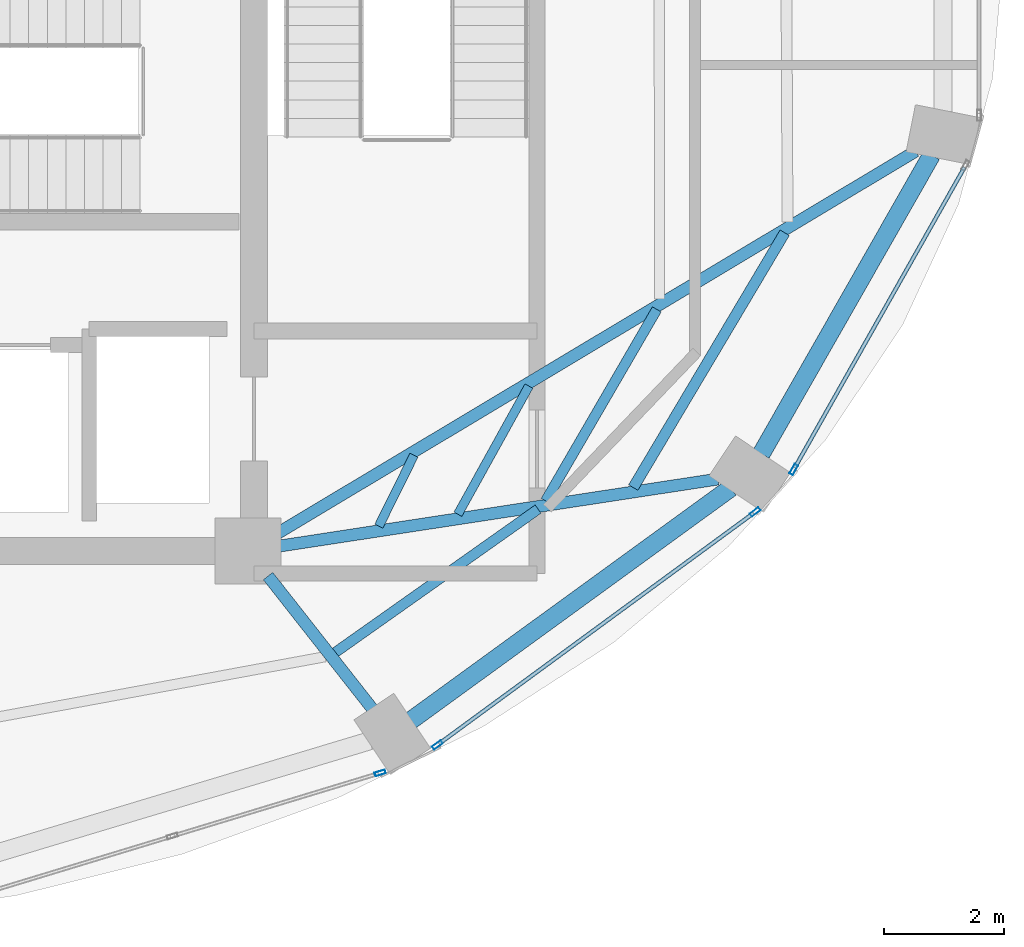
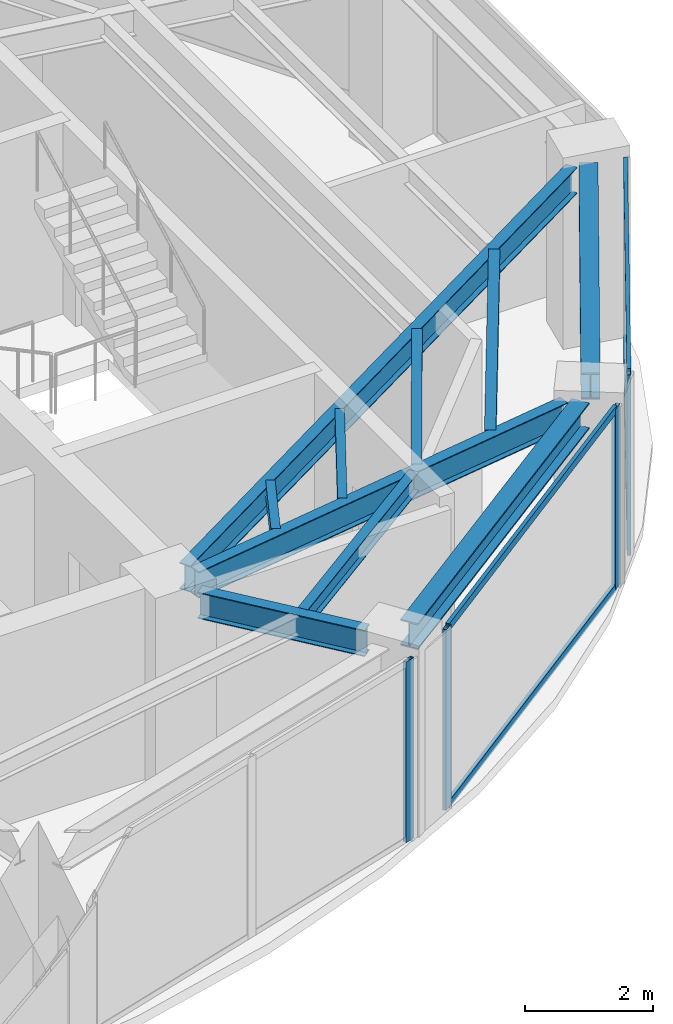
# One storey, part 13 of 22: 10 beams, 8 members, 3 elements without a shape of their own.
"""IFC4 building model written with IfcOpenShell, lengths in metres."""

import ifcopenshell
import ifcopenshell.guid

model = None  # the IFC model being written
_history = None  # IfcOwnerHistory: only IFC2X3 demands one
_inside = {}  # id of a spatial element -> (the spatial element, [elements in it])
_under = {}  # id of a project, library or spatial element -> (it, [spatial elements below it])
_declared = {}  # id of a project -> (the project, [libraries it declares])
_typed = {}  # id of a type object -> (the type object, [elements of that type])
_made_of = {}  # id of a material, layer set ... -> (it, [elements and type objects made of it])


def new_model(schema):
    """Start an empty IFC model of exactly this schema.

    Asked for "IFC4X3", IfcOpenShell would pick the latest addendum, in which some entities
    have other attributes; the version numbers below select the first issue.
    IFC2X3 requires an IfcOwnerHistory on every rooted entity: one is made here for all.
    """
    global model, _history
    if schema == "IFC4X3":
        model = ifcopenshell.file(schema_version=(4, 3, 0, 0))
    else:
        model = ifcopenshell.file(schema=schema)
    _inside.clear()
    _under.clear()
    _declared.clear()
    _typed.clear()
    _made_of.clear()
    _history = None
    if model.schema == "IFC2X3":
        org = make("IfcOrganization", Name="unknown")
        user = make(
            "IfcPersonAndOrganization",
            ThePerson=make("IfcPerson", FamilyName="unknown"),
            TheOrganization=org,
        )
        app = make(
            "IfcApplication",
            ApplicationDeveloper=org,
            Version="unknown",
            ApplicationFullName="unknown",
            ApplicationIdentifier="unknown",
        )
        _history = make(
            "IfcOwnerHistory",
            OwningUser=user,
            OwningApplication=app,
            ChangeAction="ADDED",
            CreationDate=0,
        )
    return model


def make(cls, **values):
    """One entity of the class cls with the attributes given. An attribute that is None is left unset."""
    return model.create_entity(
        cls, **{name: value for name, value in values.items() if value is not None}
    )


def rooted(cls, **values):
    """An entity with a GlobalId (a new one), such as an element, a storey or a relation."""
    return make(cls, GlobalId=ifcopenshell.guid.new(), OwnerHistory=_history, **values)


def si_unit(unit_type, name, prefix=None):
    """IfcSIUnit, for example si_unit("LENGTHUNIT", "METRE", prefix="MILLI")."""
    return make("IfcSIUnit", UnitType=unit_type, Prefix=prefix, Name=name)


def assignment(units):
    """IfcUnitAssignment: the units of a project."""
    return None if units is None else make("IfcUnitAssignment", Units=units)


def point(xyz):
    """IfcCartesianPoint."""
    return None if xyz is None else make("IfcCartesianPoint", Coordinates=xyz)


def direction(xyz):
    """IfcDirection."""
    return None if xyz is None else make("IfcDirection", DirectionRatios=xyz)


def frame(location, z_axis=None, x_axis=None):
    """IfcAxis2Placement3D, a coordinate frame: its origin and axes. An axis left out is left unset."""
    return make(
        "IfcAxis2Placement3D",
        Location=point(location),
        Axis=direction(z_axis),
        RefDirection=direction(x_axis),
    )


def frame_2d(location, x_axis=None):
    """IfcAxis2Placement2D, a coordinate frame in the plane: its origin and x axis."""
    return make(
        "IfcAxis2Placement2D", Location=point(location), RefDirection=direction(x_axis)
    )


def origin():
    """The frame at (0, 0, 0) with its axes left unset."""
    return frame((0.0, 0.0, 0.0))


def origin_2d():
    """The frame at (0, 0) in the plane with its x axis left unset."""
    return frame_2d((0.0, 0.0))


def place(relative_to, where):
    """IfcLocalPlacement: puts the frame where relative to a parent placement (None: the world)."""
    return make(
        "IfcLocalPlacement", PlacementRelTo=relative_to, RelativePlacement=where
    )


def context(
    kind, dimensions, precision=None, world=None, true_north=None, identifier=None
):
    """IfcGeometricRepresentationContext, for example the 3D "Model" context."""
    return make(
        "IfcGeometricRepresentationContext",
        ContextIdentifier=identifier,
        ContextType=kind,
        CoordinateSpaceDimension=dimensions,
        Precision=precision,
        WorldCoordinateSystem=world,
        TrueNorth=true_north,
    )


def subcontext(parent, identifier, kind, view, scale=None):
    """IfcGeometricRepresentationSubContext, for example "Body" below "Model"."""
    return make(
        "IfcGeometricRepresentationSubContext",
        ContextIdentifier=identifier,
        ContextType=kind,
        ParentContext=parent,
        TargetScale=scale,
        TargetView=view,
    )


def project(units=None, contexts=None):
    """IfcProject with its units and contexts."""
    return rooted(
        "IfcProject",
        Name="project",
        RepresentationContexts=contexts,
        UnitsInContext=assignment(units),
    )


def spatial(cls, under=None, at=None, **own):
    """A site, building, storey or space (cls), placed at a placement, below another one or the project."""
    s = rooted(cls, ObjectPlacement=at, **own)
    if under is not None:
        _under.setdefault(under.id(), (under, []))[1].append(s)
    return s


def profile(cls, at=None, kind="AREA", **sizes):
    """A parametric profile (cls). Its sizes go by their IFC names, for example OverallWidth=200.0."""
    return make(cls, ProfileType=kind, Position=at, **sizes)


def hollow_rectangle(**sizes):
    """IfcRectangleHollowProfileDef."""
    return profile("IfcRectangleHollowProfileDef", **sizes)


def i_section(**sizes):
    """IfcIShapeProfileDef."""
    return profile("IfcIShapeProfileDef", **sizes)


def extrude(swept, where, along, depth):
    """IfcExtrudedAreaSolid: the profile swept, set in the frame where, extruded along a direction by depth."""
    return make(
        "IfcExtrudedAreaSolid",
        SweptArea=swept,
        Position=where,
        ExtrudedDirection=direction(along),
        Depth=depth,
    )


def shape(context_of_items, identifier, shape_type, items):
    """IfcShapeRepresentation: the items that make up one representation, for example the "Body"."""
    return make(
        "IfcShapeRepresentation",
        ContextOfItems=context_of_items,
        RepresentationIdentifier=identifier,
        RepresentationType=shape_type,
        Items=items,
    )


def material(Name=None, Category=None):
    """IfcMaterial."""
    return make("IfcMaterial", Name=Name, Category=Category)


def layer(
    of_material, thickness, ventilated=None, Name=None, Category=None, Priority=None
):
    """IfcMaterialLayer: one layer of a wall or slab, of a material (None: an air gap)."""
    return make(
        "IfcMaterialLayer",
        Material=of_material,
        LayerThickness=thickness,
        IsVentilated=ventilated,
        Name=Name,
        Category=Category,
        Priority=Priority,
    )


def layer_set(layers, Name=None):
    """IfcMaterialLayerSet."""
    return make("IfcMaterialLayerSet", MaterialLayers=layers, LayerSetName=Name)


def material_profile(
    of_material, cross_section, Name=None, Category=None, Priority=None
):
    """IfcMaterialProfile: a cross section and its material."""
    return make(
        "IfcMaterialProfile",
        Name=Name,
        Material=of_material,
        Profile=cross_section,
        Priority=Priority,
        Category=Category,
    )


def profile_set(profiles, Name=None, composite=None):
    """IfcMaterialProfileSet."""
    return make(
        "IfcMaterialProfileSet",
        Name=Name,
        MaterialProfiles=profiles,
        CompositeProfile=composite,
    )


def made_of(thing, what):
    """Note that an element or type object is made of a material, layer set ...; save() writes the relation."""
    if what is not None:
        _made_of.setdefault(what.id(), (what, []))[1].append(thing)
    return thing


def type_object(cls, material=None, **own):
    """A type object (cls), such as IfcWallType, which elements share."""
    return made_of(rooted(cls, **own), material)


def element(
    cls,
    number,
    at=None,
    inside=None,
    cuts=None,
    type_object=None,
    material=None,
    context=None,
    identifier="Body",
    shape_type=None,
    held_by="IfcProductDefinitionShape",
    body=None,
    shapes=None,
    **own,
):
    """One element of the class cls, such as IfcWall. Its Tag is "e" and its number.

    at: its placement. inside: the storey or other place that contains it. cuts: it is an
    opening in that element (IfcRelVoidsElement). A single representation is given by context,
    identifier, shape_type and body (its items); several are given by shapes. held_by: the class
    of the entity that holds the representations. save() writes the other relations.
    """
    e = rooted(cls, Tag="e%d" % number, ObjectPlacement=at, **own)
    if body is not None:
        shapes = [shape(context, identifier, shape_type, body)]
    if shapes is not None:
        e.Representation = make(held_by, Representations=shapes)
    if inside is not None:
        _inside.setdefault(inside.id(), (inside, []))[1].append(e)
    if cuts is not None:
        rooted(
            "IfcRelVoidsElement", RelatingBuildingElement=cuts, RelatedOpeningElement=e
        )
    if type_object is not None:
        _typed.setdefault(type_object.id(), (type_object, []))[1].append(e)
    return made_of(e, material)


def aggregate(whole, parts):
    """IfcRelAggregates: a whole, such as a stair, and the parts it consists of."""
    return rooted("IfcRelAggregates", RelatingObject=whole, RelatedObjects=parts)


def save(model, path):
    """Write the relations noted so far, then the file.

    IfcRelAggregates (storeys below a building ...), IfcRelContainedInSpatialStructure (elements
    in a storey), IfcRelDefinesByType, IfcRelAssociatesMaterial and IfcRelDeclares: one each for
    every whole, place, type object, material and project.
    """
    for whole, parts in _under.values():
        aggregate(whole, parts)
    for where, things in _inside.values():
        rooted(
            "IfcRelContainedInSpatialStructure",
            RelatedElements=things,
            RelatingStructure=where,
        )
    for kind, things in _typed.values():
        rooted("IfcRelDefinesByType", RelatedObjects=things, RelatingType=kind)
    for what, things in _made_of.values():
        rooted("IfcRelAssociatesMaterial", RelatedObjects=things, RelatingMaterial=what)
    for by, libraries in _declared.values():
        rooted("IfcRelDeclares", RelatingContext=by, RelatedDefinitions=libraries)
    model.write(path)


model = new_model("IFC4")

# Units and contexts
model_context = context("Model", 3, precision=1e-05, world=origin(), true_north=direction((0.0, 1.0)))
body_context = subcontext(model_context, "Body", "Model", "MODEL_VIEW")
ifc_project = project(units=[si_unit("LENGTHUNIT", "METRE"), si_unit("AREAUNIT", "SQUARE_METRE"), si_unit("VOLUMEUNIT", "CUBIC_METRE"), si_unit("PLANEANGLEUNIT", "RADIAN"), si_unit("MASSUNIT", "GRAM", prefix="KILO")], contexts=[model_context])

# Site, building, storey
site_placement = place(None, origin())
site = spatial("IfcSite", under=ifc_project, at=site_placement, CompositionType="ELEMENT")
building_placement = place(site_placement, origin())
building = spatial("IfcBuilding", under=site, at=building_placement, Name="Lazwardi Medical Tower", CompositionType="ELEMENT")
storey_placement = place(building_placement, frame((0.0, 0.0, 255.02392578125)))
storey = spatial("IfcBuildingStorey", under=building, at=storey_placement, Name="L66", CompositionType="ELEMENT", Elevation=255.02392578125)

# Beams
ifc_material_1 = material(Name="Steel S355", Category="steel")
ifc_material_profile_1 = material_profile(ifc_material_1, i_section(OverallWidth=0.300048828125, OverallDepth=0.5, WebThickness=0.014404296875, FlangeThickness=0.028076171875, at=origin_2d()), Name="HEB 500")
ifc_profile_set_1 = profile_set([ifc_material_profile_1], Name="Steel S355")
beam_type_1 = type_object("IfcBeamType", Name="BM-RB-Z4", PredefinedType="BEAM", material=ifc_profile_set_1)
beam_1_placement = place(storey_placement, frame((48.31591796875, 17.5751953125, 3.197998046875), z_axis=(0.808889916254, 0.587960120571, 0.0), x_axis=(-0.587960120571, 0.808889916254, 0.0)))
element("IfcBeam", 1, at=beam_1_placement, inside=storey, type_object=beam_type_1, Name="Ring beam RB-05 B02 L66", PredefinedType="BEAM", context=body_context, shape_type="SweptSolid", body=[
    extrude(i_section(OverallWidth=0.300048828125, OverallDepth=0.5, WebThickness=0.014404296875, FlangeThickness=0.028076171875, at=origin_2d()), origin(), (0.0, 0.0, 1.0), 6.587158203125),
])
beam_2_placement = place(storey_placement, frame((54.15283203125, 22.016357421875, 3.197998046875), z_axis=(0.495125273299, 0.868821594886, 0.0), x_axis=(-0.868821594886, 0.495125273299, 0.0)))
element("IfcBeam", 2, at=beam_2_placement, inside=storey, type_object=beam_type_1, Name="Ring beam RB-05 B03 L66", PredefinedType="BEAM", context=body_context, shape_type="SweptSolid", body=[
    extrude(i_section(OverallWidth=0.300048828125, OverallDepth=0.5, WebThickness=0.014404296875, FlangeThickness=0.028076171875, at=origin_2d()), origin(), (0.0, 0.0, 1.0), 5.734130859375),
])
ifc_material_profile_2 = material_profile(ifc_material_1, i_section(OverallWidth=0.199951171875, OverallDepth=0.5, WebThickness=0.01025390625, FlangeThickness=0.01611328125, at=origin_2d()), Name="IPE 500")
ifc_profile_set_2 = profile_set([ifc_material_profile_2], Name="Steel S355")
beam_type_2 = type_object("IfcBeamType", Name="BM-RG-W3", PredefinedType="BEAM", material=ifc_profile_set_2)
beam_3_placement = place(storey_placement, frame((47.669677734375, 17.7666015625, 3.197998046875), z_axis=(-0.617890508382, 0.786264153864, 0.0), x_axis=(-0.786264153864, -0.617890508382, 0.0)))
element("IfcBeam", 3, at=beam_3_placement, inside=storey, type_object=beam_type_2, Name="Radial girder RG-04 R02 L66", PredefinedType="BEAM", context=body_context, shape_type="SweptSolid", body=[
    extrude(i_section(OverallWidth=0.199951171875, OverallDepth=0.5, WebThickness=0.01025390625, FlangeThickness=0.01611328125, at=origin_2d()), origin(), (0.0, 0.0, 1.0), 2.814453125),
])
beam_4_placement = place(storey_placement, frame((53.430908203125, 21.5966796875, 3.197998046875), z_axis=(-0.988522137285, -0.151076087115, 0.0), x_axis=(0.151076087115, -0.988522137285, 0.0)))
element("IfcBeam", 4, at=beam_4_placement, inside=storey, type_object=beam_type_2, Name="Radial girder RG-04 R03 L66", PredefinedType="BEAM", context=body_context, shape_type="SweptSolid", body=[
    extrude(i_section(OverallWidth=0.199951171875, OverallDepth=0.5, WebThickness=0.01025390625, FlangeThickness=0.01611328125, at=origin_2d()), origin(), (0.0, 0.0, 1.0), 7.38671875),
])
beam_5_placement = place(storey_placement, frame((56.72607421875, 27.062255859375, 3.197998046875), z_axis=(-0.857944804603, -0.513741873176, 0.0), x_axis=(0.513741873176, -0.857944804603, 0.0)))
element("IfcBeam", 5, at=beam_5_placement, inside=storey, type_object=beam_type_2, Name="Radial girder RG-04 R04 L66", PredefinedType="BEAM", context=body_context, shape_type="SweptSolid", body=[
    extrude(i_section(OverallWidth=0.199951171875, OverallDepth=0.5, WebThickness=0.01025390625, FlangeThickness=0.01611328125, at=origin_2d()), origin(), (0.0, 0.0, 1.0), 12.43310546875),
])
ifc_material_profile_3 = material_profile(ifc_material_1, i_section(OverallWidth=0.179931640625, OverallDepth=0.39990234375, WebThickness=0.008544921875, FlangeThickness=0.013427734375, at=origin_2d()), Name="IPE 400")
ifc_profile_set_3 = profile_set([ifc_material_profile_3], Name="Steel S355")
beam_type_3 = type_object("IfcBeamType", Name="BM-SJ-01", PredefinedType="JOIST", material=ifc_profile_set_3)
beam_6_placement = place(storey_placement, frame((52.01904296875, 21.455078125, 3.248046875), z_axis=(0.510967866251, 0.859599813668, 0.0), x_axis=(-0.859599813668, 0.510967866251, 0.0)))
element("IfcBeam", 6, at=beam_6_placement, inside=storey, type_object=beam_type_3, Name="Secondary joist SJ-01 R1 B03 L66", PredefinedType="JOIST", context=body_context, shape_type="SweptSolid", body=[
    extrude(i_section(OverallWidth=0.179931640625, OverallDepth=0.39990234375, WebThickness=0.008544921875, FlangeThickness=0.013427734375, at=origin_2d()), origin(), (0.0, 0.0, 1.0), 4.94189453125),
])
ifc_material_profile_4 = material_profile(ifc_material_1, i_section(OverallWidth=0.169921875, OverallDepth=0.360107421875, WebThickness=0.008056640625, FlangeThickness=0.0126953125, at=origin_2d()), Name="IPE 360")
ifc_profile_set_4 = profile_set([ifc_material_profile_4], Name="Steel S355")
beam_type_4 = type_object("IfcBeamType", Name="BM-SJ-02", PredefinedType="JOIST", material=ifc_profile_set_4)
beam_7_placement = place(storey_placement, frame((47.051513671875, 18.70654296875, 3.26806640625), z_axis=(0.816711190406, 0.577046645832, 0.0), x_axis=(-0.577046645832, 0.816711190406, 0.0)))
element("IfcBeam", 7, at=beam_7_placement, inside=storey, type_object=beam_type_4, Name="Secondary joist SJ-02 R2 B02 L66", PredefinedType="JOIST", context=body_context, shape_type="SweptSolid", body=[
    extrude(i_section(OverallWidth=0.169921875, OverallDepth=0.360107421875, WebThickness=0.008056640625, FlangeThickness=0.0126953125, at=origin_2d()), origin(), (0.0, 0.0, 1.0), 4.139892578125),
])
beam_8_placement = place(storey_placement, frame((50.5576171875, 21.232421875, 3.26806640625), z_axis=(0.50218018565, 0.864763008657, 0.0), x_axis=(-0.864763008657, 0.50218018565, 0.0)))
element("IfcBeam", 8, at=beam_8_placement, inside=storey, type_object=beam_type_4, Name="Secondary joist SJ-02 R2 B03 L66", PredefinedType="JOIST", context=body_context, shape_type="SweptSolid", body=[
    extrude(i_section(OverallWidth=0.169921875, OverallDepth=0.360107421875, WebThickness=0.008056640625, FlangeThickness=0.0126953125, at=origin_2d()), origin(), (0.0, 0.0, 1.0), 3.69189453125),
])
ifc_material_profile_5 = material_profile(ifc_material_1, i_section(OverallWidth=0.14990234375, OverallDepth=0.300048828125, WebThickness=0.007080078125, FlangeThickness=0.0107421875, at=origin_2d()), Name="IPE 300")
ifc_profile_set_5 = profile_set([ifc_material_profile_5], Name="Steel S355")
beam_type_5 = type_object("IfcBeamType", Name="BM-SJ-03", PredefinedType="JOIST", material=ifc_profile_set_5)
beam_9_placement = place(storey_placement, frame((49.095703125, 21.01025390625, 3.298095703125), z_axis=(0.484751625998, 0.874651851363, 0.0), x_axis=(-0.874651851363, 0.484751625998, 0.0)))
element("IfcBeam", 9, at=beam_9_placement, inside=storey, type_object=beam_type_5, Name="Secondary joist SJ-03 R3 B03 L66", PredefinedType="JOIST", context=body_context, shape_type="SweptSolid", body=[
    extrude(i_section(OverallWidth=0.14990234375, OverallDepth=0.300048828125, WebThickness=0.007080078125, FlangeThickness=0.0107421875, at=origin_2d()), origin(), (0.0, 0.0, 1.0), 2.442626953125),
])
beam_10_placement = place(storey_placement, frame((47.777587890625, 20.811279296875, 3.298095703125), z_axis=(0.443587297772, 0.89623116954, 0.0), x_axis=(-0.89623116954, 0.443587297772, 0.0)))
element("IfcBeam", 10, at=beam_10_placement, inside=storey, type_object=beam_type_5, Name="Secondary joist SJ-03 R4 B03 L66", PredefinedType="JOIST", context=body_context, shape_type="SweptSolid", body=[
    extrude(i_section(OverallWidth=0.14990234375, OverallDepth=0.300048828125, WebThickness=0.007080078125, FlangeThickness=0.0107421875, at=origin_2d()), origin(), (0.0, 0.0, 1.0), 1.32080078125),
])

# Curtain wall, member
ifc_material_2 = material(Name="Anodised bronze aluminium and solar control glazing", Category="aluminium")
ifc_layer = layer(ifc_material_2, 0.18994140625)
ifc_layer_set = layer_set([ifc_layer], Name="Anodised bronze aluminium and solar control glazing")
curtain_wall_type = type_object("IfcCurtainWallType", Name="CW-SYS-04", PredefinedType="NOTDEFINED", material=ifc_layer_set)
curtain_wall_1_placement = place(storey_placement, origin())
curtain_wall_1 = element("IfcCurtainWall", 11, at=curtain_wall_1_placement, inside=storey, type_object=curtain_wall_type, Name="L66 Unitised bronze curtain wall CW-04", PredefinedType="NOTDEFINED")
ifc_material_3 = material(Name="Anodised bronze aluminium", Category="aluminium")
ifc_material_profile_6 = material_profile(ifc_material_3, hollow_rectangle(XDim=0.06494140625, YDim=0.179931640625, WallThickness=0.00390625, at=origin_2d()), Name="ALU-MULLION 180x65x4")
ifc_profile_set_6 = profile_set([ifc_material_profile_6], Name="Anodised bronze aluminium")
member_type_1 = type_object("IfcMemberType", Name="CW-MUL-03", PredefinedType="MULLION", material=ifc_profile_set_6)
member_1_placement = place(storey_placement, frame((47.7998046875, 16.696533203125, 0.0), z_axis=(0.0, 0.0, 1.0), x_axis=(-0.290581889515, 0.956850126972, 0.0)))
member_1 = element("IfcMember", 12, at=member_1_placement, type_object=member_type_1, Name="CW-04 mullion 3", PredefinedType="MULLION", context=body_context, shape_type="SweptSolid", body=[
    extrude(hollow_rectangle(XDim=0.06494140625, YDim=0.179931640625, WallThickness=0.00390625, at=origin_2d()), origin(), (0.0, 0.0, 1.0), 3.447998046875),
])
aggregate(curtain_wall_1, [member_1])

# Curtain wall, members
curtain_wall_2_placement = place(storey_placement, origin())
curtain_wall_2 = element("IfcCurtainWall", 13, at=curtain_wall_2_placement, inside=storey, type_object=curtain_wall_type, Name="L66 Unitised bronze curtain wall CW-04", PredefinedType="NOTDEFINED")
member_2_placement = place(storey_placement, frame((48.75537109375, 17.1650390625, 0.0), z_axis=(0.0, 0.0, 1.0), x_axis=(-0.591268230971, 0.806474971121, 0.0)))
member_2 = element("IfcMember", 14, at=member_2_placement, type_object=member_type_1, Name="CW-04 mullion 1", PredefinedType="MULLION", context=body_context, shape_type="SweptSolid", body=[
    extrude(hollow_rectangle(XDim=0.06494140625, YDim=0.179931640625, WallThickness=0.00390625, at=origin_2d()), origin(), (0.0, 0.0, 1.0), 3.447998046875),
])
member_3_placement = place(storey_placement, frame((54.052001953125, 21.04833984375, 0.0), z_axis=(0.0, 0.0, 1.0), x_axis=(-0.591268230971, 0.806474971121, 0.0)))
member_3 = element("IfcMember", 15, at=member_3_placement, type_object=member_type_1, Name="CW-04 mullion 2", PredefinedType="MULLION", context=body_context, shape_type="SweptSolid", body=[
    extrude(hollow_rectangle(XDim=0.06494140625, YDim=0.179931640625, WallThickness=0.00390625, at=origin_2d()), origin(), (0.0, 0.0, 1.0), 3.447998046875),
])

# Curtain wall, member
curtain_wall_3_placement = place(storey_placement, origin())
curtain_wall_3 = element("IfcCurtainWall", 16, at=curtain_wall_3_placement, inside=storey, type_object=curtain_wall_type, Name="L66 Unitised bronze curtain wall CW-04", PredefinedType="NOTDEFINED")
member_4_placement = place(storey_placement, frame((54.6943359375, 21.75439453125, 0.0), z_axis=(0.0, 0.0, 1.0), x_axis=(-0.870651436011, 0.491900474661, 0.0)))
member_4 = element("IfcMember", 17, at=member_4_placement, type_object=member_type_1, Name="CW-04 mullion 1", PredefinedType="MULLION", context=body_context, shape_type="SweptSolid", body=[
    extrude(hollow_rectangle(XDim=0.06494140625, YDim=0.179931640625, WallThickness=0.00390625, at=origin_2d()), origin(), (0.0, 0.0, 1.0), 3.447998046875),
])

# Member
ifc_material_profile_7 = material_profile(ifc_material_3, hollow_rectangle(XDim=0.06494140625, YDim=0.139892578125, WallThickness=0.00341796875, at=origin_2d()), Name="ALU-TRANSOM 140x65x3.5")
ifc_profile_set_7 = profile_set([ifc_material_profile_7], Name="Anodised bronze aluminium")
member_type_2 = type_object("IfcMemberType", Name="CW-TRN-03", PredefinedType="USERDEFINED", material=ifc_profile_set_7)
member_5_placement = place(storey_placement, frame((48.781494140625, 17.184326171875, 0.032470703125), z_axis=(0.80648973359, 0.591248094808, 0.0), x_axis=(-0.591248094808, 0.80648973359, 0.0)))
member_5 = element("IfcMember", 18, at=member_5_placement, type_object=member_type_2, Name="CW-04 transom 1.1", ObjectType="TRANSOM", PredefinedType="USERDEFINED", context=body_context, shape_type="SweptSolid", body=[
    extrude(hollow_rectangle(XDim=0.06494140625, YDim=0.139892578125, WallThickness=0.00341796875, at=origin_2d()), origin(), (0.0, 0.0, 1.0), 6.502685546875),
])

member_6_placement = place(storey_placement, frame((48.781494140625, 17.184326171875, 3.41552734375), z_axis=(0.80648973359, 0.591248094808, 0.0), x_axis=(-0.591248094808, 0.80648973359, 0.0)))
member_6 = element("IfcMember", 19, at=member_6_placement, type_object=member_type_2, Name="CW-04 transom 1.2", ObjectType="TRANSOM", PredefinedType="USERDEFINED", context=body_context, shape_type="SweptSolid", body=[
    extrude(hollow_rectangle(XDim=0.06494140625, YDim=0.139892578125, WallThickness=0.00341796875, at=origin_2d()), origin(), (0.0, 0.0, 1.0), 6.502685546875),
])

aggregate(curtain_wall_2, [member_2, member_3, member_5, member_6])

member_7_placement = place(storey_placement, frame((54.71044921875, 21.78271484375, 0.032470703125), z_axis=(0.491879719484, 0.87066316194, 0.0), x_axis=(-0.87066316194, 0.491879719484, 0.0)))
member_7 = element("IfcMember", 20, at=member_7_placement, type_object=member_type_2, Name="CW-04 transom 1.1", ObjectType="TRANSOM", PredefinedType="USERDEFINED", context=body_context, shape_type="SweptSolid", body=[
    extrude(hollow_rectangle(XDim=0.06494140625, YDim=0.139892578125, WallThickness=0.00341796875, at=origin_2d()), origin(), (0.0, 0.0, 1.0), 5.755126953125),
])

member_8_placement = place(storey_placement, frame((54.71044921875, 21.78271484375, 3.41552734375), z_axis=(0.491879719484, 0.87066316194, 0.0), x_axis=(-0.87066316194, 0.491879719484, 0.0)))
member_8 = element("IfcMember", 21, at=member_8_placement, type_object=member_type_2, Name="CW-04 transom 1.2", ObjectType="TRANSOM", PredefinedType="USERDEFINED", context=body_context, shape_type="SweptSolid", body=[
    extrude(hollow_rectangle(XDim=0.06494140625, YDim=0.139892578125, WallThickness=0.00341796875, at=origin_2d()), origin(), (0.0, 0.0, 1.0), 5.755126953125),
])

aggregate(curtain_wall_3, [member_4, member_7, member_8])

save(model, "model.ifc")
